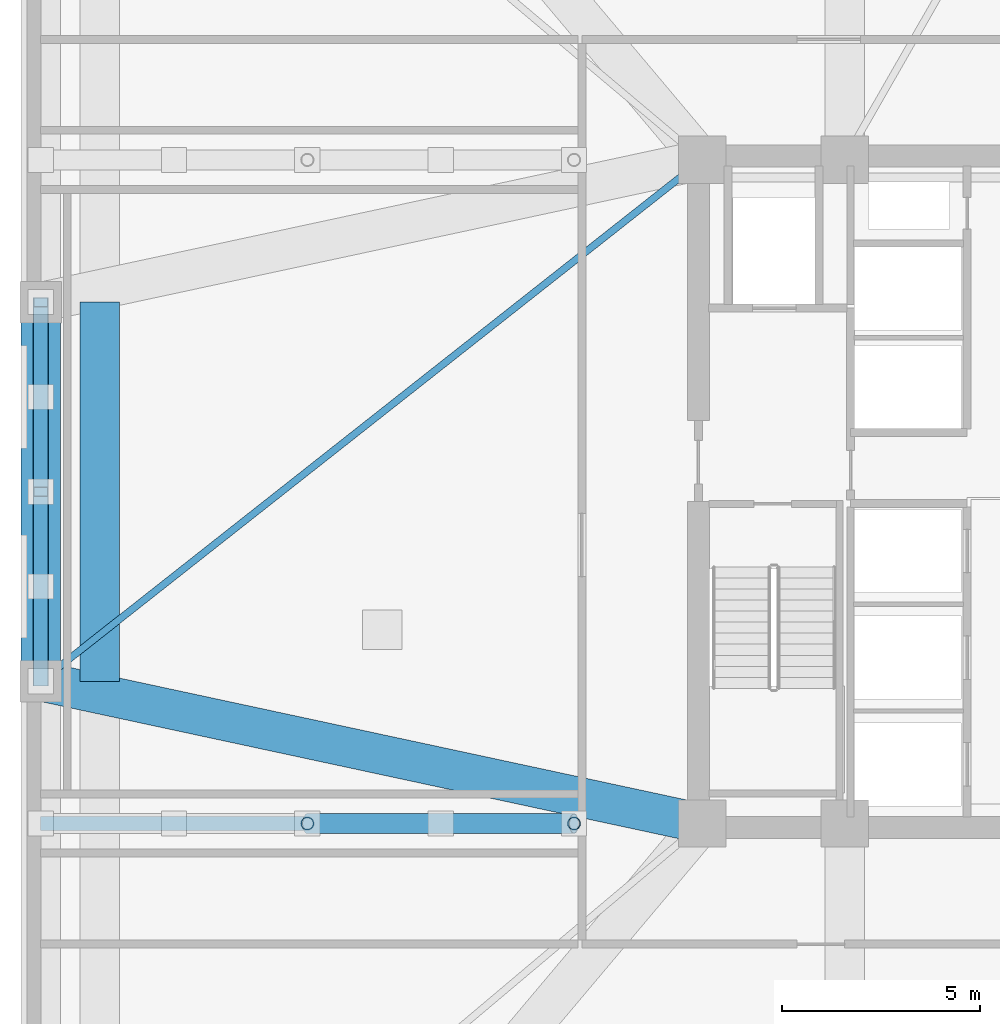
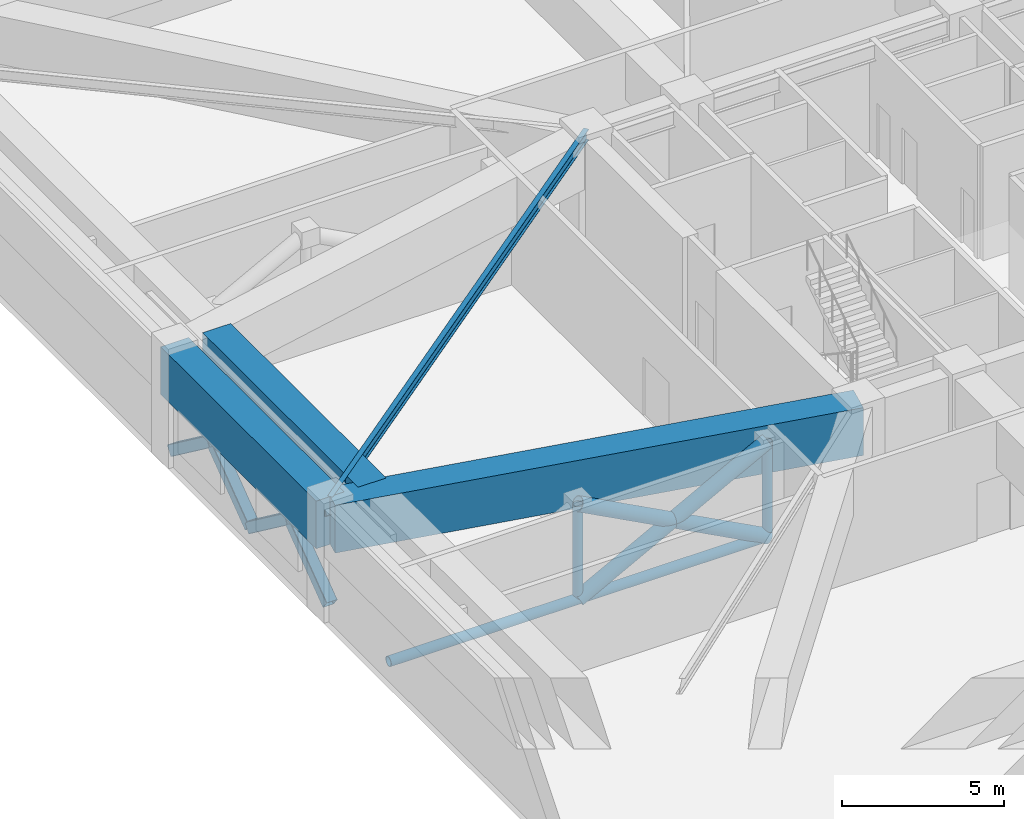
# One storey, part 2 of 13: 12 members, 4 beams.
"""IFC4 building model written with IfcOpenShell, lengths in metres."""

from ifc_helpers import new_model, si_unit, direction, frame, origin, origin_2d, place, context, subcontext, project, spatial, rectangle, hollow_rectangle, hollow_circle, i_section, extrude, material, material_profile, profile_set, type_object, element, save


model = new_model("IFC4")

# Units and contexts
model_context = context("Model", 3, precision=1e-05, world=origin(), true_north=direction((0.0, 1.0)))
body_context = subcontext(model_context, "Body", "Model", "MODEL_VIEW")
ifc_project = project(units=[si_unit("LENGTHUNIT", "METRE"), si_unit("AREAUNIT", "SQUARE_METRE"), si_unit("VOLUMEUNIT", "CUBIC_METRE"), si_unit("PLANEANGLEUNIT", "RADIAN"), si_unit("MASSUNIT", "GRAM", prefix="KILO")], contexts=[model_context])

# Site, building, storey
site_placement = place(None, origin())
site = spatial("IfcSite", under=ifc_project, at=site_placement, CompositionType="ELEMENT")
building_placement = place(site_placement, origin())
building = spatial("IfcBuilding", under=site, at=building_placement, Name="Cairnveth Concourse Tower", CompositionType="ELEMENT")
storey_placement = place(building_placement, frame((0.0, 0.0, 97.0)))
storey = spatial("IfcBuildingStorey", under=building, at=storey_placement, Name="L26", CompositionType="ELEMENT", Elevation=97.0)

# Members
ifc_material_1 = material(Name="Steel C350L0 (350 MPa)", Category="steel")
ifc_material_profile_1 = material_profile(ifc_material_1, hollow_circle(Radius=0.177734375, WallThickness=0.01611328125, at=origin_2d()), Name="355.6x16.0CHS")
ifc_profile_set_1 = profile_set([ifc_material_profile_1], Name="Steel C350L0 (350 MPa)")
member_type_1 = type_object("IfcMemberType", Name="BELT TRUSS CHORD 355.6X16CHS", PredefinedType="CHORD", material=ifc_profile_set_1)
member_1_placement = place(storey_placement, frame((26.85009765625, 30.60009765625, 0.25), z_axis=(1.0, 0.0, 0.0), x_axis=(0.0, 1.0, 0.0)))
element("IfcMember", 1, at=member_1_placement, inside=storey, type_object=member_type_1, Name="Structural Brace OUT-OW1A-CH L26", PredefinedType="CHORD", context=body_context, shape_type="SweptSolid", body=[
    extrude(hollow_circle(Radius=0.177734375, WallThickness=0.01611328125, at=origin_2d()), origin(), (0.0, 0.0, 1.0), 13.5),
])
ifc_material_profile_2 = material_profile(ifc_material_1, hollow_rectangle(XDim=0.39990234375, YDim=0.39990234375, WallThickness=0.01611328125, InnerFilletRadius=0.01611328125, OuterFilletRadius=0.031982421875, at=origin_2d()), Name="400x400x16.0SHS")
ifc_profile_set_2 = profile_set([ifc_material_profile_2], Name="Steel C350L0 (350 MPa)")
member_type_2 = type_object("IfcMemberType", Name="BELT TRUSS DIAGONAL 400X400X16SHS", PredefinedType="BRACE", material=ifc_profile_set_2)
member_2_placement = place(storey_placement, frame((26.85009765625, 34.199951171875, 0.25), z_axis=(0.0, 0.80159700688, 0.597864732663), x_axis=(-1.0, 0.0, 0.0)))
element("IfcMember", 2, at=member_2_placement, inside=storey, type_object=member_type_2, Name="Structural Brace BLT-BW1A L26", PredefinedType="BRACE", context=body_context, shape_type="SweptSolid", body=[
    extrude(hollow_rectangle(XDim=0.39990234375, YDim=0.39990234375, WallThickness=0.01611328125, InnerFilletRadius=0.01611328125, OuterFilletRadius=0.031982421875, at=origin_2d()), origin(), (0.0, 0.0, 1.0), 5.988037109375),
])
for number, where, z_axis, x_axis, name in (
    (3, (26.85009765625, 39.0, 0.25), (0.0, -0.801600181197, 0.597860476621), (1.0, 0.0, 0.0), "Structural Brace BLT-BW1B1 L26"),
    (4, (26.85009765625, 36.587890625, 2.049072265625), (0.0, -0.801600181197, 0.597860476621), (1.0, 0.0, 0.0), "Structural Brace BLT-BW1B2 L26"),
):
    element("IfcMember", number, at=place(storey_placement, frame(where, z_axis=z_axis, x_axis=x_axis)), inside=storey, type_object=member_type_2, Name=name, PredefinedType="BRACE", context=body_context, shape_type="SweptSolid", body=[
        extrude(hollow_rectangle(XDim=0.39990234375, YDim=0.39990234375, WallThickness=0.01611328125, InnerFilletRadius=0.01611328125, OuterFilletRadius=0.031982421875, at=origin_2d()), origin(), (0.0, 0.0, 1.0), 2.97900390625),
    ])
member_3_placement = place(storey_placement, frame((26.85009765625, 39.0, 0.25), z_axis=(0.0, 0.80159700688, 0.597864732663), x_axis=(-1.0, 0.0, 0.0)))
element("IfcMember", 5, at=member_3_placement, inside=storey, type_object=member_type_2, Name="Structural Brace BLT-BW2A L26", PredefinedType="BRACE", context=body_context, shape_type="SweptSolid", body=[
    extrude(hollow_rectangle(XDim=0.39990234375, YDim=0.39990234375, WallThickness=0.01611328125, InnerFilletRadius=0.01611328125, OuterFilletRadius=0.031982421875, at=origin_2d()), origin(), (0.0, 0.0, 1.0), 5.988037109375),
])
for number, where, z_axis, x_axis, name in (
    (6, (26.85009765625, 43.800048828125, 0.25), (0.0, -0.801600181197, 0.597860476621), (1.0, 0.0, 0.0), "Structural Brace BLT-BW2B1 L26"),
    (7, (26.85009765625, 41.387939453125, 2.049072265625), (0.0, -0.801600181197, 0.597860476621), (1.0, 0.0, 0.0), "Structural Brace BLT-BW2B2 L26"),
):
    element("IfcMember", number, at=place(storey_placement, frame(where, z_axis=z_axis, x_axis=x_axis)), inside=storey, type_object=member_type_2, Name=name, PredefinedType="BRACE", context=body_context, shape_type="SweptSolid", body=[
        extrude(hollow_rectangle(XDim=0.39990234375, YDim=0.39990234375, WallThickness=0.01611328125, InnerFilletRadius=0.01611328125, OuterFilletRadius=0.031982421875, at=origin_2d()), origin(), (0.0, 0.0, 1.0), 2.97900390625),
    ])

# Beams
ifc_material_2 = material(Name="Concrete N65 (65 MPa)", Category="concrete")
ifc_material_profile_3 = material_profile(ifc_material_2, rectangle(XDim=1.0, YDim=1.800048828125, at=origin_2d()), Name="RC-TB-1000x1800")
ifc_profile_set_3 = profile_set([ifc_material_profile_3], Name="Concrete N65 (65 MPa)")
beam_type_1 = type_object("IfcBeamType", Name="CONCRETE TRANSFER GIRDER 1000X1800", PredefinedType="BEAM", material=ifc_profile_set_3)
beam_1_placement = place(storey_placement, frame((26.85009765625, 34.199951171875, 3.3798828125), z_axis=(0.0, 1.0, 0.0), x_axis=(-1.0, 0.0, 0.0)))
element("IfcBeam", 8, at=beam_1_placement, inside=storey, type_object=beam_type_1, Name="Beam SP-W2 L26", PredefinedType="BEAM", context=body_context, shape_type="SweptSolid", body=[
    extrude(rectangle(XDim=1.0, YDim=1.800048828125, at=origin_2d()), origin(), (0.0, 0.0, 1.0), 9.60009765625),
])
beam_2_placement = place(storey_placement, frame((26.85009765625, 34.199951171875, 3.3798828125), z_axis=(0.977675861524, -0.210118799239, 0.0), x_axis=(0.210118799239, 0.977675861524, 0.0)))
element("IfcBeam", 9, at=beam_2_placement, inside=storey, type_object=beam_type_1, Name="Beam RG-W1 L26", PredefinedType="BEAM", context=body_context, shape_type="SweptSolid", body=[
    extrude(rectangle(XDim=1.0, YDim=1.800048828125, at=origin_2d()), origin(), (0.0, 0.0, 1.0), 17.132568359375),
])
beam_3_placement = place(storey_placement, frame((28.35009765625, 34.199951171875, 3.3798828125), z_axis=(0.0, 1.0, 0.0), x_axis=(-1.0, 0.0, 0.0)))
element("IfcBeam", 10, at=beam_3_placement, inside=storey, type_object=beam_type_1, Name="Beam STG-W2 L26", PredefinedType="BEAM", context=body_context, shape_type="SweptSolid", body=[
    extrude(rectangle(XDim=1.0, YDim=1.800048828125, at=origin_2d()), origin(), (0.0, 0.0, 1.0), 9.60009765625),
])

# Members
ifc_material_profile_4 = material_profile(ifc_material_1, hollow_circle(Radius=0.25390625, WallThickness=0.01611328125, at=origin_2d()), Name="508.0x16.0CHS")
ifc_profile_set_4 = profile_set([ifc_material_profile_4], Name="Steel C350L0 (350 MPa)")
member_type_3 = type_object("IfcMemberType", Name="OUTRIGGER DIAGONAL 508X16CHS", PredefinedType="BRACE", material=ifc_profile_set_4)
member_4_placement = place(storey_placement, frame((33.60009765625, 30.60009765625, 0.25), z_axis=(0.883433244898, 0.0, 0.468557042216), x_axis=(0.0, 1.0, 0.0)))
element("IfcMember", 11, at=member_4_placement, inside=storey, type_object=member_type_3, Name="Structural Brace OUT-OW1A-P2A L26", PredefinedType="BRACE", context=body_context, shape_type="SweptSolid", body=[
    extrude(hollow_circle(Radius=0.25390625, WallThickness=0.01611328125, at=origin_2d()), origin(), (0.0, 0.0, 1.0), 7.640625),
])
member_5_placement = place(storey_placement, frame((33.60009765625, 30.60009765625, 3.830078125), z_axis=(0.88342870315, 0.0, -0.46856560528), x_axis=(0.0, 1.0, 0.0)))
element("IfcMember", 12, at=member_5_placement, inside=storey, type_object=member_type_3, Name="Structural Brace OUT-OW1A-P2B1 L26", PredefinedType="BRACE", context=body_context, shape_type="SweptSolid", body=[
    extrude(hollow_circle(Radius=0.25390625, WallThickness=0.01611328125, at=origin_2d()), origin(), (0.0, 0.0, 1.0), 3.80517578125),
])
member_6_placement = place(storey_placement, frame((36.98828125, 30.60009765625, 2.032958984375), z_axis=(0.883442788673, 0.0, -0.468539047617), x_axis=(0.0, 1.0, 0.0)))
element("IfcMember", 13, at=member_6_placement, inside=storey, type_object=member_type_3, Name="Structural Brace OUT-OW1A-P2B2 L26", PredefinedType="BRACE", context=body_context, shape_type="SweptSolid", body=[
    extrude(hollow_circle(Radius=0.25390625, WallThickness=0.01611328125, at=origin_2d()), origin(), (0.0, 0.0, 1.0), 3.805419921875),
])
ifc_material_profile_5 = material_profile(ifc_material_1, hollow_circle(Radius=0.161865234375, WallThickness=0.0126953125, at=origin_2d()), Name="323.9x12.7CHS")
ifc_profile_set_5 = profile_set([ifc_material_profile_5], Name="Steel C350L0 (350 MPa)")
member_type_4 = type_object("IfcMemberType", Name="OUTRIGGER KING STRUT 323.9X12.7CHS", PredefinedType="STRUT", material=ifc_profile_set_5)
for number, where, z_axis, x_axis, name in (
    (14, (33.60009765625, 30.60009765625, 0.25), (0.0, 0.0, 1.0), (1.0, 0.0, 0.0), "Structural Brace OUT-OW1A-SR L26"),
    (15, (40.35009765625, 30.60009765625, 0.25), (0.0, 0.0, 1.0), (1.0, 0.0, 0.0), "Structural Brace OUT-OW1A-SRE L26"),
):
    element("IfcMember", number, at=place(storey_placement, frame(where, z_axis=z_axis, x_axis=x_axis)), inside=storey, type_object=member_type_4, Name=name, PredefinedType="STRUT", context=body_context, shape_type="SweptSolid", body=[
        extrude(hollow_circle(Radius=0.161865234375, WallThickness=0.0126953125, at=origin_2d()), origin(), (0.0, 0.0, 1.0), 3.580078125),
    ])

# Beam
ifc_material_3 = material(Name="Steel Grade 350", Category="steel")
ifc_material_profile_6 = material_profile(ifc_material_3, i_section(OverallWidth=0.177978515625, OverallDepth=0.406005859375, WebThickness=0.0078125, FlangeThickness=0.0126953125, FilletRadius=0.010986328125, at=origin_2d()), Name="410UB59.7")
ifc_profile_set_6 = profile_set([ifc_material_profile_6], Name="Steel Grade 350")
beam_type_2 = type_object("IfcBeamType", Name="ZONE 1 FLOOR JOIST 410UB59.7", PredefinedType="JOIST", material=ifc_profile_set_6)
beam_4_placement = place(storey_placement, frame((26.85009765625, 34.199951171875, 4.076904296875), z_axis=(0.785423705995, 0.618958481694, 0.0), x_axis=(-0.618958481694, 0.785423705995, 0.0)))
element("IfcBeam", 16, at=beam_4_placement, inside=storey, type_object=beam_type_2, Name="Beam FJ-W-M1 L26", PredefinedType="JOIST", context=body_context, shape_type="SweptSolid", body=[
    extrude(i_section(OverallWidth=0.177978515625, OverallDepth=0.406005859375, WebThickness=0.0078125, FlangeThickness=0.0126953125, FilletRadius=0.010986328125, at=origin_2d()), origin(), (0.0, 0.0, 1.0), 21.326171875),
])

save(model, "model.ifc")
